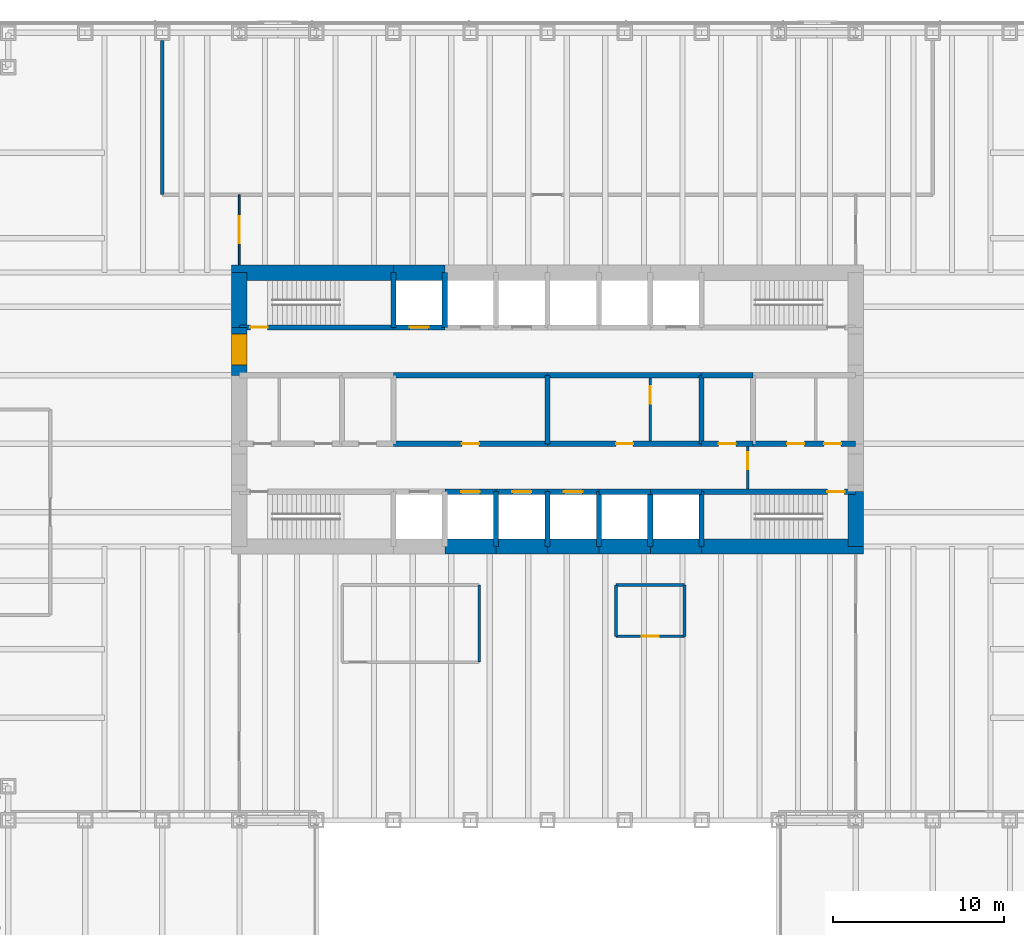
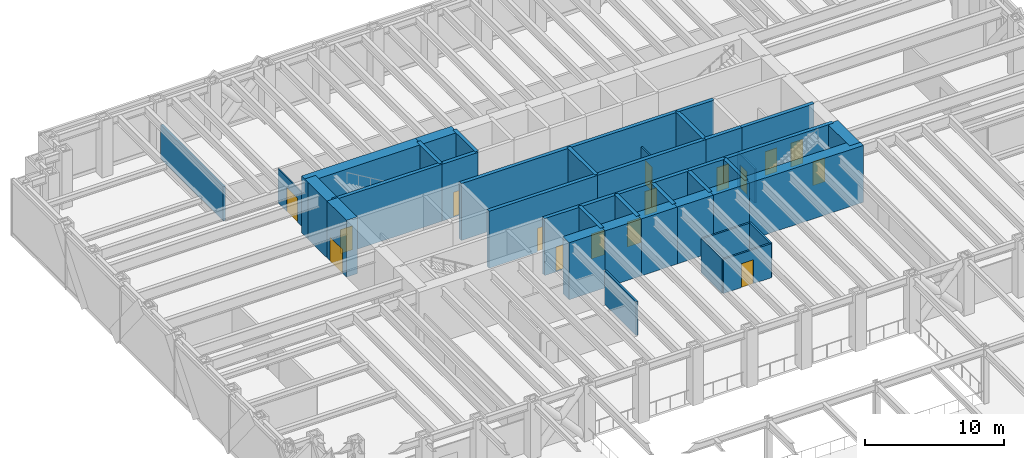
# One storey, part 14 of 17: 44 walls, 16 doors, 16 openings.
"""IFC4 building model written with IfcOpenShell, lengths in metres."""

import ifcopenshell
import ifcopenshell.guid

model = None  # the IFC model being written
_history = None  # IfcOwnerHistory: only IFC2X3 demands one
_inside = {}  # id of a spatial element -> (the spatial element, [elements in it])
_under = {}  # id of a project, library or spatial element -> (it, [spatial elements below it])
_declared = {}  # id of a project -> (the project, [libraries it declares])
_typed = {}  # id of a type object -> (the type object, [elements of that type])
_made_of = {}  # id of a material, layer set ... -> (it, [elements and type objects made of it])


def new_model(schema):
    """Start an empty IFC model of exactly this schema.

    Asked for "IFC4X3", IfcOpenShell would pick the latest addendum, in which some entities
    have other attributes; the version numbers below select the first issue.
    IFC2X3 requires an IfcOwnerHistory on every rooted entity: one is made here for all.
    """
    global model, _history
    if schema == "IFC4X3":
        model = ifcopenshell.file(schema_version=(4, 3, 0, 0))
    else:
        model = ifcopenshell.file(schema=schema)
    _inside.clear()
    _under.clear()
    _declared.clear()
    _typed.clear()
    _made_of.clear()
    _history = None
    if model.schema == "IFC2X3":
        org = make("IfcOrganization", Name="unknown")
        user = make(
            "IfcPersonAndOrganization",
            ThePerson=make("IfcPerson", FamilyName="unknown"),
            TheOrganization=org,
        )
        app = make(
            "IfcApplication",
            ApplicationDeveloper=org,
            Version="unknown",
            ApplicationFullName="unknown",
            ApplicationIdentifier="unknown",
        )
        _history = make(
            "IfcOwnerHistory",
            OwningUser=user,
            OwningApplication=app,
            ChangeAction="ADDED",
            CreationDate=0,
        )
    return model


def make(cls, **values):
    """One entity of the class cls with the attributes given. An attribute that is None is left unset."""
    return model.create_entity(
        cls, **{name: value for name, value in values.items() if value is not None}
    )


def rooted(cls, **values):
    """An entity with a GlobalId (a new one), such as an element, a storey or a relation."""
    return make(cls, GlobalId=ifcopenshell.guid.new(), OwnerHistory=_history, **values)


def si_unit(unit_type, name, prefix=None):
    """IfcSIUnit, for example si_unit("LENGTHUNIT", "METRE", prefix="MILLI")."""
    return make("IfcSIUnit", UnitType=unit_type, Prefix=prefix, Name=name)


def assignment(units):
    """IfcUnitAssignment: the units of a project."""
    return None if units is None else make("IfcUnitAssignment", Units=units)


def point(xyz):
    """IfcCartesianPoint."""
    return None if xyz is None else make("IfcCartesianPoint", Coordinates=xyz)


def direction(xyz):
    """IfcDirection."""
    return None if xyz is None else make("IfcDirection", DirectionRatios=xyz)


def frame(location, z_axis=None, x_axis=None):
    """IfcAxis2Placement3D, a coordinate frame: its origin and axes. An axis left out is left unset."""
    return make(
        "IfcAxis2Placement3D",
        Location=point(location),
        Axis=direction(z_axis),
        RefDirection=direction(x_axis),
    )


def frame_2d(location, x_axis=None):
    """IfcAxis2Placement2D, a coordinate frame in the plane: its origin and x axis."""
    return make(
        "IfcAxis2Placement2D", Location=point(location), RefDirection=direction(x_axis)
    )


def origin():
    """The frame at (0, 0, 0) with its axes left unset."""
    return frame((0.0, 0.0, 0.0))


def place(relative_to, where):
    """IfcLocalPlacement: puts the frame where relative to a parent placement (None: the world)."""
    return make(
        "IfcLocalPlacement", PlacementRelTo=relative_to, RelativePlacement=where
    )


def context(
    kind, dimensions, precision=None, world=None, true_north=None, identifier=None
):
    """IfcGeometricRepresentationContext, for example the 3D "Model" context."""
    return make(
        "IfcGeometricRepresentationContext",
        ContextIdentifier=identifier,
        ContextType=kind,
        CoordinateSpaceDimension=dimensions,
        Precision=precision,
        WorldCoordinateSystem=world,
        TrueNorth=true_north,
    )


def subcontext(parent, identifier, kind, view, scale=None):
    """IfcGeometricRepresentationSubContext, for example "Body" below "Model"."""
    return make(
        "IfcGeometricRepresentationSubContext",
        ContextIdentifier=identifier,
        ContextType=kind,
        ParentContext=parent,
        TargetScale=scale,
        TargetView=view,
    )


def project(units=None, contexts=None):
    """IfcProject with its units and contexts."""
    return rooted(
        "IfcProject",
        Name="project",
        RepresentationContexts=contexts,
        UnitsInContext=assignment(units),
    )


def spatial(cls, under=None, at=None, **own):
    """A site, building, storey or space (cls), placed at a placement, below another one or the project."""
    s = rooted(cls, ObjectPlacement=at, **own)
    if under is not None:
        _under.setdefault(under.id(), (under, []))[1].append(s)
    return s


def profile(cls, at=None, kind="AREA", **sizes):
    """A parametric profile (cls). Its sizes go by their IFC names, for example OverallWidth=200.0."""
    return make(cls, ProfileType=kind, Position=at, **sizes)


def rectangle(**sizes):
    """IfcRectangleProfileDef."""
    return profile("IfcRectangleProfileDef", **sizes)


def extrude(swept, where, along, depth):
    """IfcExtrudedAreaSolid: the profile swept, set in the frame where, extruded along a direction by depth."""
    return make(
        "IfcExtrudedAreaSolid",
        SweptArea=swept,
        Position=where,
        ExtrudedDirection=direction(along),
        Depth=depth,
    )


def shape(context_of_items, identifier, shape_type, items):
    """IfcShapeRepresentation: the items that make up one representation, for example the "Body"."""
    return make(
        "IfcShapeRepresentation",
        ContextOfItems=context_of_items,
        RepresentationIdentifier=identifier,
        RepresentationType=shape_type,
        Items=items,
    )


def material(Name=None, Category=None):
    """IfcMaterial."""
    return make("IfcMaterial", Name=Name, Category=Category)


def layer(
    of_material, thickness, ventilated=None, Name=None, Category=None, Priority=None
):
    """IfcMaterialLayer: one layer of a wall or slab, of a material (None: an air gap)."""
    return make(
        "IfcMaterialLayer",
        Material=of_material,
        LayerThickness=thickness,
        IsVentilated=ventilated,
        Name=Name,
        Category=Category,
        Priority=Priority,
    )


def layer_set(layers, Name=None):
    """IfcMaterialLayerSet."""
    return make("IfcMaterialLayerSet", MaterialLayers=layers, LayerSetName=Name)


def made_of(thing, what):
    """Note that an element or type object is made of a material, layer set ...; save() writes the relation."""
    if what is not None:
        _made_of.setdefault(what.id(), (what, []))[1].append(thing)
    return thing


def type_object(cls, material=None, **own):
    """A type object (cls), such as IfcWallType, which elements share."""
    return made_of(rooted(cls, **own), material)


def element(
    cls,
    number,
    at=None,
    inside=None,
    cuts=None,
    type_object=None,
    material=None,
    context=None,
    identifier="Body",
    shape_type=None,
    held_by="IfcProductDefinitionShape",
    body=None,
    shapes=None,
    **own,
):
    """One element of the class cls, such as IfcWall. Its Tag is "e" and its number.

    at: its placement. inside: the storey or other place that contains it. cuts: it is an
    opening in that element (IfcRelVoidsElement). A single representation is given by context,
    identifier, shape_type and body (its items); several are given by shapes. held_by: the class
    of the entity that holds the representations. save() writes the other relations.
    """
    e = rooted(cls, Tag="e%d" % number, ObjectPlacement=at, **own)
    if body is not None:
        shapes = [shape(context, identifier, shape_type, body)]
    if shapes is not None:
        e.Representation = make(held_by, Representations=shapes)
    if inside is not None:
        _inside.setdefault(inside.id(), (inside, []))[1].append(e)
    if cuts is not None:
        rooted(
            "IfcRelVoidsElement", RelatingBuildingElement=cuts, RelatedOpeningElement=e
        )
    if type_object is not None:
        _typed.setdefault(type_object.id(), (type_object, []))[1].append(e)
    return made_of(e, material)


def fill(opening, filler):
    """IfcRelFillsElement: the door or window that sits in an opening."""
    return rooted(
        "IfcRelFillsElement",
        RelatingOpeningElement=opening,
        RelatedBuildingElement=filler,
    )


def aggregate(whole, parts):
    """IfcRelAggregates: a whole, such as a stair, and the parts it consists of."""
    return rooted("IfcRelAggregates", RelatingObject=whole, RelatedObjects=parts)


def save(model, path):
    """Write the relations noted so far, then the file.

    IfcRelAggregates (storeys below a building ...), IfcRelContainedInSpatialStructure (elements
    in a storey), IfcRelDefinesByType, IfcRelAssociatesMaterial and IfcRelDeclares: one each for
    every whole, place, type object, material and project.
    """
    for whole, parts in _under.values():
        aggregate(whole, parts)
    for where, things in _inside.values():
        rooted(
            "IfcRelContainedInSpatialStructure",
            RelatedElements=things,
            RelatingStructure=where,
        )
    for kind, things in _typed.values():
        rooted("IfcRelDefinesByType", RelatedObjects=things, RelatingType=kind)
    for what, things in _made_of.values():
        rooted("IfcRelAssociatesMaterial", RelatedObjects=things, RelatingMaterial=what)
    for by, libraries in _declared.values():
        rooted("IfcRelDeclares", RelatingContext=by, RelatedDefinitions=libraries)
    model.write(path)


model = new_model("IFC4")

# Units and contexts
model_context = context("Model", 3, precision=1e-05, world=origin(), true_north=direction((0.0, 1.0)))
body_context = subcontext(model_context, "Body", "Model", "MODEL_VIEW")
ifc_project = project(units=[si_unit("LENGTHUNIT", "METRE"), si_unit("AREAUNIT", "SQUARE_METRE"), si_unit("VOLUMEUNIT", "CUBIC_METRE"), si_unit("PLANEANGLEUNIT", "RADIAN"), si_unit("MASSUNIT", "GRAM", prefix="KILO")], contexts=[model_context])

# Site, building, storey
site_placement = place(None, origin())
site = spatial("IfcSite", under=ifc_project, at=site_placement, CompositionType="ELEMENT")
building_placement = place(site_placement, origin())
building = spatial("IfcBuilding", under=site, at=building_placement, Name="Rheinbord Bourse Tower", CompositionType="ELEMENT")
storey_placement = place(building_placement, frame((0.0, 0.0, 13.0)))
storey = spatial("IfcBuildingStorey", under=building, at=storey_placement, Name="L02", CompositionType="ELEMENT", Elevation=13.0)

# Wall
ifc_material_1 = material(Name="Acoustic gypsum board partition", Category="gypsum board")
ifc_layer_1 = layer(ifc_material_1, 0.199951171875)
ifc_layer_set_1 = layer_set([ifc_layer_1], Name="ACOUSTIC PARTITION 200")
wall_type_1 = type_object("IfcWallType", Name="ACOUSTIC PARTITION 200", PredefinedType="PARTITIONING", material=ifc_layer_set_1)
wall_1_placement = place(storey_placement, frame((13.5, 36.550048828125, 0.0), z_axis=(0.0, 0.0, 1.0), x_axis=(0.0, 1.0, 0.0)))
element("IfcWall", 1, at=wall_1_placement, inside=storey, type_object=wall_type_1, Name="Partition L02-11", PredefinedType="PARTITIONING", context=body_context, shape_type="SweptSolid", body=[
    extrude(rectangle(XDim=9.0, YDim=0.199951171875, at=frame_2d((4.5, 0.0))), origin(), (0.0, 0.0, 1.0), 3.0),
])

# Wall, opening, door
ifc_material_2 = material(Name="Concrete C50/60", Category="concrete")
ifc_layer_2 = layer(ifc_material_2, 0.300048828125)
ifc_layer_set_2 = layer_set([ifc_layer_2], Name="CORE INNER WALL 300")
wall_type_2 = type_object("IfcWallType", Name="CORE INNER WALL 300", PredefinedType="SOLIDWALL", material=ifc_layer_set_2)
wall_2_placement = place(storey_placement, frame((30.0, 19.199951171875, 0.0), z_axis=(0.0, 0.0, 1.0), x_axis=(1.0, 0.0, 0.0)))
wall_2 = element("IfcWall", 2, at=wall_2_placement, inside=storey, type_object=wall_type_2, Name="Core wall A3 L02", PredefinedType="SOLIDWALL", context=body_context, shape_type="SweptSolid", body=[
    extrude(rectangle(XDim=3.0, YDim=0.300048828125, at=frame_2d((1.5, 0.0))), origin(), (0.0, 0.0, 1.0), 5.0),
])
opening_1_placement = place(wall_2_placement, frame((0.949951171875, 0.0, 0.0)))
opening_1 = element("IfcOpeningElement", 3, at=opening_1_placement, cuts=wall_2, Name="Opening PA1", PredefinedType="OPENING", context=body_context, shape_type="SweptSolid", body=[
    extrude(rectangle(XDim=1.10009765625, YDim=2.199951171875, at=frame_2d((0.550048828125, 1.10009765625))), frame((0.0, 0.159912109375, 0.0), z_axis=(0.0, -1.0, 0.0), x_axis=(1.0, 0.0, 0.0)), (0.0, 0.0, 1.0), 0.320068359375),
])
ifc_material_3 = material(Name="Steel landing door", Category="steel")
door_type_1 = type_object("IfcDoorType", Name="LIFT LANDING DOOR 1100", OperationType="DOUBLE_DOOR_SLIDING", PredefinedType="USERDEFINED", material=ifc_material_3)
door_1_placement = place(opening_1_placement, origin())
door_1 = element("IfcDoor", 4, at=door_1_placement, inside=storey, type_object=door_type_1, Name="Lift landing door PA1 L02", ObjectType="LIFT LANDING DOOR", OperationType="DOUBLE_DOOR_SLIDING", OverallHeight=2.199951171875, OverallWidth=1.10009765625, PredefinedType="USERDEFINED", context=body_context, shape_type="SweptSolid", body=[
    extrude(rectangle(XDim=1.10009765625, YDim=2.199951171875, at=frame_2d((0.550048828125, 1.10009765625))), frame((0.0, 0.02490234375, 0.0), z_axis=(0.0, -1.0, 0.0), x_axis=(1.0, 0.0, 0.0)), (0.0, 0.0, 1.0), 0.050048828125),
])
fill(opening_1, door_1)

wall_3_placement = place(storey_placement, frame((33.0, 19.199951171875, 0.0), z_axis=(0.0, 0.0, 1.0), x_axis=(1.0, 0.0, 0.0)))
wall_3 = element("IfcWall", 5, at=wall_3_placement, inside=storey, type_object=wall_type_2, Name="Core wall A4 L02", PredefinedType="SOLIDWALL", context=body_context, shape_type="SweptSolid", body=[
    extrude(rectangle(XDim=3.0, YDim=0.300048828125, at=frame_2d((1.5, 0.0))), origin(), (0.0, 0.0, 1.0), 5.0),
])
opening_2_placement = place(wall_3_placement, frame((0.949951171875, 0.0, 0.0)))
opening_2 = element("IfcOpeningElement", 6, at=opening_2_placement, cuts=wall_3, Name="Opening PA2", PredefinedType="OPENING", context=body_context, shape_type="SweptSolid", body=[
    extrude(rectangle(XDim=1.10009765625, YDim=2.199951171875, at=frame_2d((0.550048828125, 1.10009765625))), frame((0.0, 0.159912109375, 0.0), z_axis=(0.0, -1.0, 0.0), x_axis=(1.0, 0.0, 0.0)), (0.0, 0.0, 1.0), 0.320068359375),
])
door_2_placement = place(opening_2_placement, origin())
door_2 = element("IfcDoor", 7, at=door_2_placement, inside=storey, type_object=door_type_1, Name="Lift landing door PA2 L02", ObjectType="LIFT LANDING DOOR", OperationType="DOUBLE_DOOR_SLIDING", OverallHeight=2.199951171875, OverallWidth=1.10009765625, PredefinedType="USERDEFINED", context=body_context, shape_type="SweptSolid", body=[
    extrude(rectangle(XDim=1.10009765625, YDim=2.199951171875, at=frame_2d((0.550048828125, 1.10009765625))), frame((0.0, 0.02490234375, 0.0), z_axis=(0.0, -1.0, 0.0), x_axis=(1.0, 0.0, 0.0)), (0.0, 0.0, 1.0), 0.050048828125),
])
fill(opening_2, door_2)

wall_4_placement = place(storey_placement, frame((36.0, 19.199951171875, 0.0), z_axis=(0.0, 0.0, 1.0), x_axis=(1.0, 0.0, 0.0)))
wall_4 = element("IfcWall", 8, at=wall_4_placement, inside=storey, type_object=wall_type_2, Name="Core wall A5 L02", PredefinedType="SOLIDWALL", context=body_context, shape_type="SweptSolid", body=[
    extrude(rectangle(XDim=3.0, YDim=0.300048828125, at=frame_2d((1.5, 0.0))), origin(), (0.0, 0.0, 1.0), 5.0),
])
opening_3_placement = place(wall_4_placement, frame((0.949951171875, 0.0, 0.0)))
opening_3 = element("IfcOpeningElement", 9, at=opening_3_placement, cuts=wall_4, Name="Opening PA3", PredefinedType="OPENING", context=body_context, shape_type="SweptSolid", body=[
    extrude(rectangle(XDim=1.10009765625, YDim=2.199951171875, at=frame_2d((0.550048828125, 1.10009765625))), frame((0.0, 0.159912109375, 0.0), z_axis=(0.0, -1.0, 0.0), x_axis=(1.0, 0.0, 0.0)), (0.0, 0.0, 1.0), 0.320068359375),
])
door_3_placement = place(opening_3_placement, origin())
door_3 = element("IfcDoor", 10, at=door_3_placement, inside=storey, type_object=door_type_1, Name="Lift landing door PA3 L02", ObjectType="LIFT LANDING DOOR", OperationType="DOUBLE_DOOR_SLIDING", OverallHeight=2.199951171875, OverallWidth=1.10009765625, PredefinedType="USERDEFINED", context=body_context, shape_type="SweptSolid", body=[
    extrude(rectangle(XDim=1.10009765625, YDim=2.199951171875, at=frame_2d((0.550048828125, 1.10009765625))), frame((0.0, 0.02490234375, 0.0), z_axis=(0.0, -1.0, 0.0), x_axis=(1.0, 0.0, 0.0)), (0.0, 0.0, 1.0), 0.050048828125),
])
fill(opening_3, door_3)

# Walls
for number, where, z_axis, x_axis, name in (
    (11, (39.0, 19.199951171875, 0.0), (0.0, 0.0, 1.0), (1.0, 0.0, 0.0), "Core wall A6 L02"),
    (12, (42.0, 19.199951171875, 0.0), (0.0, 0.0, 1.0), (1.0, 0.0, 0.0), "Core wall A7 L02"),
):
    element("IfcWall", number, at=place(storey_placement, frame(where, z_axis=z_axis, x_axis=x_axis)), inside=storey, type_object=wall_type_2, Name=name, PredefinedType="SOLIDWALL", context=body_context, shape_type="SweptSolid", body=[
        extrude(rectangle(XDim=3.0, YDim=0.300048828125, at=frame_2d((1.5, 0.0))), origin(), (0.0, 0.0, 1.0), 5.0),
    ])

# Wall, opening, door
wall_5_placement = place(storey_placement, frame((45.0, 19.199951171875, 0.0), z_axis=(0.0, 0.0, 1.0), x_axis=(1.0, 0.0, 0.0)))
wall_5 = element("IfcWall", 13, at=wall_5_placement, inside=storey, type_object=wall_type_2, Name="Core wall A8 L02", PredefinedType="SOLIDWALL", context=body_context, shape_type="SweptSolid", body=[
    extrude(rectangle(XDim=9.0, YDim=0.300048828125, at=frame_2d((4.5, 0.0))), origin(), (0.0, 0.0, 1.0), 5.0),
])
opening_4_placement = place(wall_5_placement, frame((7.35009765625, 0.0, 0.0)))
opening_4 = element("IfcOpeningElement", 14, at=opening_4_placement, cuts=wall_5, Name="Opening 0230", PredefinedType="OPENING", context=body_context, shape_type="SweptSolid", body=[
    extrude(rectangle(XDim=1.0, YDim=2.10009765625, at=frame_2d((0.5, 1.050048828125))), frame((0.0, 0.159912109375, 0.0), z_axis=(0.0, -1.0, 0.0), x_axis=(1.0, 0.0, 0.0)), (0.0, 0.0, 1.0), 0.320068359375),
])
ifc_material_4 = material(Name="Steel door", Category="steel")
door_type_2 = type_object("IfcDoorType", Name="DOOR 1000 EI30", OperationType="SINGLE_SWING_LEFT", PredefinedType="DOOR", material=ifc_material_4)
door_4_placement = place(opening_4_placement, origin())
door_4 = element("IfcDoor", 15, at=door_4_placement, inside=storey, type_object=door_type_2, Name="Stair door ST3 L02", OperationType="SINGLE_SWING_RIGHT", OverallHeight=2.10009765625, OverallWidth=1.0, PredefinedType="DOOR", context=body_context, shape_type="SweptSolid", body=[
    extrude(rectangle(XDim=1.0, YDim=2.10009765625, at=frame_2d((0.5, 1.050048828125))), frame((0.0, 0.02490234375, 0.0), z_axis=(0.0, -1.0, 0.0), x_axis=(1.0, 0.0, 0.0)), (0.0, 0.0, 1.0), 0.050048828125),
])
fill(opening_4, door_4)

wall_6_placement = place(storey_placement, frame((18.0, 28.800048828125, 0.0), z_axis=(0.0, 0.0, 1.0), x_axis=(1.0, 0.0, 0.0)))
wall_6 = element("IfcWall", 16, at=wall_6_placement, inside=storey, type_object=wall_type_2, Name="Core wall B1 L02", PredefinedType="SOLIDWALL", context=body_context, shape_type="SweptSolid", body=[
    extrude(rectangle(XDim=9.0, YDim=0.300048828125, at=frame_2d((4.5, 0.0))), origin(), (0.0, 0.0, 1.0), 5.0),
])
opening_5_placement = place(wall_6_placement, frame((0.64990234375, 0.0, 0.0)))
opening_5 = element("IfcOpeningElement", 17, at=opening_5_placement, cuts=wall_6, Name="Opening 0220", PredefinedType="OPENING", context=body_context, shape_type="SweptSolid", body=[
    extrude(rectangle(XDim=1.0, YDim=2.10009765625, at=frame_2d((0.5, 1.050048828125))), frame((0.0, 0.159912109375, 0.0), z_axis=(0.0, -1.0, 0.0), x_axis=(1.0, 0.0, 0.0)), (0.0, 0.0, 1.0), 0.320068359375),
])
door_5_placement = place(opening_5_placement, origin())
door_5 = element("IfcDoor", 18, at=door_5_placement, inside=storey, type_object=door_type_2, Name="Stair door ST2 L02", OperationType="SINGLE_SWING_LEFT", OverallHeight=2.10009765625, OverallWidth=1.0, PredefinedType="DOOR", context=body_context, shape_type="SweptSolid", body=[
    extrude(rectangle(XDim=1.0, YDim=2.10009765625, at=frame_2d((0.5, 1.050048828125))), frame((0.0, 0.02490234375, 0.0), z_axis=(0.0, -1.0, 0.0), x_axis=(1.0, 0.0, 0.0)), (0.0, 0.0, 1.0), 0.050048828125),
])
fill(opening_5, door_5)

wall_7_placement = place(storey_placement, frame((27.0, 28.800048828125, 0.0), z_axis=(0.0, 0.0, 1.0), x_axis=(1.0, 0.0, 0.0)))
wall_7 = element("IfcWall", 19, at=wall_7_placement, inside=storey, type_object=wall_type_2, Name="Core wall B2 L02", PredefinedType="SOLIDWALL", context=body_context, shape_type="SweptSolid", body=[
    extrude(rectangle(XDim=3.0, YDim=0.300048828125, at=frame_2d((1.5, 0.0))), origin(), (0.0, 0.0, 1.0), 5.0),
])
opening_6_placement = place(wall_7_placement, frame((0.949951171875, 0.0, 0.0)))
opening_6 = element("IfcOpeningElement", 20, at=opening_6_placement, cuts=wall_7, Name="Opening GL1", PredefinedType="OPENING", context=body_context, shape_type="SweptSolid", body=[
    extrude(rectangle(XDim=1.10009765625, YDim=2.199951171875, at=frame_2d((0.550048828125, 1.10009765625))), frame((0.0, 0.159912109375, 0.0), z_axis=(0.0, -1.0, 0.0), x_axis=(1.0, 0.0, 0.0)), (0.0, 0.0, 1.0), 0.320068359375),
])
door_6_placement = place(opening_6_placement, origin())
door_6 = element("IfcDoor", 21, at=door_6_placement, inside=storey, type_object=door_type_1, Name="Lift landing door GL1 L02", ObjectType="LIFT LANDING DOOR", OperationType="DOUBLE_DOOR_SLIDING", OverallHeight=2.199951171875, OverallWidth=1.10009765625, PredefinedType="USERDEFINED", context=body_context, shape_type="SweptSolid", body=[
    extrude(rectangle(XDim=1.10009765625, YDim=2.199951171875, at=frame_2d((0.550048828125, 1.10009765625))), frame((0.0, 0.02490234375, 0.0), z_axis=(0.0, -1.0, 0.0), x_axis=(1.0, 0.0, 0.0)), (0.0, 0.0, 1.0), 0.050048828125),
])
fill(opening_6, door_6)

wall_8_placement = place(storey_placement, frame((27.0, 22.0, 0.0), z_axis=(0.0, 0.0, 1.0), x_axis=(1.0, 0.0, 0.0)))
wall_8 = element("IfcWall", 22, at=wall_8_placement, inside=storey, type_object=wall_type_2, Name="Core wall C3 L02", PredefinedType="SOLIDWALL", context=body_context, shape_type="SweptSolid", body=[
    extrude(rectangle(XDim=9.0, YDim=0.300048828125, at=frame_2d((4.5, 0.0))), origin(), (0.0, 0.0, 1.0), 5.0),
])
opening_7_placement = place(wall_8_placement, frame((4.0, 0.0, 0.0)))
opening_7 = element("IfcOpeningElement", 23, at=opening_7_placement, cuts=wall_8, Name="Opening 02R3", PredefinedType="OPENING", context=body_context, shape_type="SweptSolid", body=[
    extrude(rectangle(XDim=1.0, YDim=2.10009765625, at=frame_2d((0.5, 1.050048828125))), frame((0.0, 0.159912109375, 0.0), z_axis=(0.0, -1.0, 0.0), x_axis=(1.0, 0.0, 0.0)), (0.0, 0.0, 1.0), 0.320068359375),
])
door_7_placement = place(opening_7_placement, origin())
door_7 = element("IfcDoor", 24, at=door_7_placement, inside=storey, type_object=door_type_2, Name="Riser door L02", OperationType="SINGLE_SWING_LEFT", OverallHeight=2.10009765625, OverallWidth=1.0, PredefinedType="DOOR", context=body_context, shape_type="SweptSolid", body=[
    extrude(rectangle(XDim=1.0, YDim=2.10009765625, at=frame_2d((0.5, 1.050048828125))), frame((0.0, 0.02490234375, 0.0), z_axis=(0.0, -1.0, 0.0), x_axis=(1.0, 0.0, 0.0)), (0.0, 0.0, 1.0), 0.050048828125),
])
fill(opening_7, door_7)

wall_9_placement = place(storey_placement, frame((36.0, 22.0, 0.0), z_axis=(0.0, 0.0, 1.0), x_axis=(1.0, 0.0, 0.0)))
wall_9 = element("IfcWall", 25, at=wall_9_placement, inside=storey, type_object=wall_type_2, Name="Core wall C4 L02", PredefinedType="SOLIDWALL", context=body_context, shape_type="SweptSolid", body=[
    extrude(rectangle(XDim=9.0, YDim=0.300048828125, at=frame_2d((4.5, 0.0))), origin(), (0.0, 0.0, 1.0), 5.0),
])
opening_8_placement = place(wall_9_placement, frame((4.0, 0.0, 0.0)))
opening_8 = element("IfcOpeningElement", 26, at=opening_8_placement, cuts=wall_9, Name="Opening 02R4", PredefinedType="OPENING", context=body_context, shape_type="SweptSolid", body=[
    extrude(rectangle(XDim=1.0, YDim=2.10009765625, at=frame_2d((0.5, 1.050048828125))), frame((0.0, 0.159912109375, 0.0), z_axis=(0.0, -1.0, 0.0), x_axis=(1.0, 0.0, 0.0)), (0.0, 0.0, 1.0), 0.320068359375),
])
door_8_placement = place(opening_8_placement, origin())
door_8 = element("IfcDoor", 27, at=door_8_placement, inside=storey, type_object=door_type_2, Name="IT room door L02", OperationType="SINGLE_SWING_LEFT", OverallHeight=2.10009765625, OverallWidth=1.0, PredefinedType="DOOR", context=body_context, shape_type="SweptSolid", body=[
    extrude(rectangle(XDim=1.0, YDim=2.10009765625, at=frame_2d((0.5, 1.050048828125))), frame((0.0, 0.02490234375, 0.0), z_axis=(0.0, -1.0, 0.0), x_axis=(1.0, 0.0, 0.0)), (0.0, 0.0, 1.0), 0.050048828125),
])
fill(opening_8, door_8)

wall_10_placement = place(storey_placement, frame((45.0, 22.0, 0.0), z_axis=(0.0, 0.0, 1.0), x_axis=(1.0, 0.0, 0.0)))
wall_10 = element("IfcWall", 28, at=wall_10_placement, inside=storey, type_object=wall_type_2, Name="Core wall C5 L02", PredefinedType="SOLIDWALL", context=body_context, shape_type="SweptSolid", body=[
    extrude(rectangle(XDim=3.0, YDim=0.300048828125, at=frame_2d((1.5, 0.0))), origin(), (0.0, 0.0, 1.0), 5.0),
])
opening_9_placement = place(wall_10_placement, frame((1.0, 0.0, 0.0)))
opening_9 = element("IfcOpeningElement", 29, at=opening_9_placement, cuts=wall_10, Name="Opening 02R5", PredefinedType="OPENING", context=body_context, shape_type="SweptSolid", body=[
    extrude(rectangle(XDim=1.0, YDim=2.10009765625, at=frame_2d((0.5, 1.050048828125))), frame((0.0, 0.159912109375, 0.0), z_axis=(0.0, -1.0, 0.0), x_axis=(1.0, 0.0, 0.0)), (0.0, 0.0, 1.0), 0.320068359375),
])
ifc_material_5 = material(Name="Timber door", Category="wood")
door_type_3 = type_object("IfcDoorType", Name="DOOR 1000 WC", OperationType="SINGLE_SWING_LEFT", PredefinedType="DOOR", material=ifc_material_5)
door_9_placement = place(opening_9_placement, origin())
door_9 = element("IfcDoor", 30, at=door_9_placement, inside=storey, type_object=door_type_3, Name="Accessible WC door L02", OperationType="SINGLE_SWING_LEFT", OverallHeight=2.10009765625, OverallWidth=1.0, PredefinedType="DOOR", context=body_context, shape_type="SweptSolid", body=[
    extrude(rectangle(XDim=1.0, YDim=2.10009765625, at=frame_2d((0.5, 1.050048828125))), frame((0.0, 0.02490234375, 0.0), z_axis=(0.0, -1.0, 0.0), x_axis=(1.0, 0.0, 0.0)), (0.0, 0.0, 1.0), 0.050048828125),
])
fill(opening_9, door_9)

# Wall, openings, doors
wall_11_placement = place(storey_placement, frame((48.0, 22.0, 0.0), z_axis=(0.0, 0.0, 1.0), x_axis=(1.0, 0.0, 0.0)))
wall_11 = element("IfcWall", 31, at=wall_11_placement, inside=storey, type_object=wall_type_2, Name="Core wall C6 L02", PredefinedType="SOLIDWALL", context=body_context, shape_type="SweptSolid", body=[
    extrude(rectangle(XDim=6.0, YDim=0.300048828125, at=frame_2d((3.0, 0.0))), origin(), (0.0, 0.0, 1.0), 5.0),
])
opening_10_placement = place(wall_11_placement, frame((2.0, 0.0, 0.0)))
opening_10 = element("IfcOpeningElement", 32, at=opening_10_placement, cuts=wall_11, Name="Opening 02R6", PredefinedType="OPENING", context=body_context, shape_type="SweptSolid", body=[
    extrude(rectangle(XDim=1.0, YDim=2.10009765625, at=frame_2d((0.5, 1.050048828125))), frame((0.0, 0.159912109375, 0.0), z_axis=(0.0, -1.0, 0.0), x_axis=(1.0, 0.0, 0.0)), (0.0, 0.0, 1.0), 0.320068359375),
])
opening_11_placement = place(wall_11_placement, frame((4.14990234375, 0.0, 0.0)))
opening_11 = element("IfcOpeningElement", 33, at=opening_11_placement, cuts=wall_11, Name="Opening 02R10", PredefinedType="OPENING", context=body_context, shape_type="SweptSolid", body=[
    extrude(rectangle(XDim=1.0, YDim=2.10009765625, at=frame_2d((0.5, 1.050048828125))), frame((0.0, 0.159912109375, 0.0), z_axis=(0.0, -1.0, 0.0), x_axis=(1.0, 0.0, 0.0)), (0.0, 0.0, 1.0), 0.320068359375),
])
door_10_placement = place(opening_11_placement, origin())
door_10 = element("IfcDoor", 34, at=door_10_placement, inside=storey, type_object=door_type_2, Name="Cleaner's store door L02", OperationType="SINGLE_SWING_RIGHT", OverallHeight=2.10009765625, OverallWidth=1.0, PredefinedType="DOOR", context=body_context, shape_type="SweptSolid", body=[
    extrude(rectangle(XDim=1.0, YDim=2.10009765625, at=frame_2d((0.5, 1.050048828125))), frame((0.0, 0.02490234375, 0.0), z_axis=(0.0, -1.0, 0.0), x_axis=(1.0, 0.0, 0.0)), (0.0, 0.0, 1.0), 0.050048828125),
])
fill(opening_11, door_10)
door_11_placement = place(opening_10_placement, origin())
door_11 = element("IfcDoor", 35, at=door_11_placement, inside=storey, type_object=door_type_3, Name="WC women door L02", OperationType="SINGLE_SWING_LEFT", OverallHeight=2.10009765625, OverallWidth=1.0, PredefinedType="DOOR", context=body_context, shape_type="SweptSolid", body=[
    extrude(rectangle(XDim=1.0, YDim=2.10009765625, at=frame_2d((0.5, 1.050048828125))), frame((0.0, 0.02490234375, 0.0), z_axis=(0.0, -1.0, 0.0), x_axis=(1.0, 0.0, 0.0)), (0.0, 0.0, 1.0), 0.050048828125),
])
fill(opening_10, door_11)

# Walls
for number, where, z_axis, x_axis, name in (
    (36, (27.0, 26.0, 0.0), (0.0, 0.0, 1.0), (1.0, 0.0, 0.0), "Core wall D3 L02"),
    (37, (36.0, 26.0, 0.0), (0.0, 0.0, 1.0), (1.0, 0.0, 0.0), "Core wall D4 L02"),
):
    element("IfcWall", number, at=place(storey_placement, frame(where, z_axis=z_axis, x_axis=x_axis)), inside=storey, type_object=wall_type_2, Name=name, PredefinedType="SOLIDWALL", context=body_context, shape_type="SweptSolid", body=[
        extrude(rectangle(XDim=9.0, YDim=0.300048828125, at=frame_2d((4.5, 0.0))), origin(), (0.0, 0.0, 1.0), 5.0),
    ])
wall_12_placement = place(storey_placement, frame((45.0, 26.0, 0.0), z_axis=(0.0, 0.0, 1.0), x_axis=(1.0, 0.0, 0.0)))
element("IfcWall", 38, at=wall_12_placement, inside=storey, type_object=wall_type_2, Name="Core wall D5 L02", PredefinedType="SOLIDWALL", context=body_context, shape_type="SweptSolid", body=[
    extrude(rectangle(XDim=3.0, YDim=0.300048828125, at=frame_2d((1.5, 0.0))), origin(), (0.0, 0.0, 1.0), 5.0),
])
for number, where, z_axis, x_axis, name in (
    (39, (27.0, 28.800048828125, 0.0), (0.0, 0.0, 1.0), (0.0, 1.0, 0.0), "Core wall NX27 L02"),
    (40, (30.0, 28.800048828125, 0.0), (0.0, 0.0, 1.0), (0.0, 1.0, 0.0), "Core wall NX30 L02"),
    (41, (33.0, 16.0, 0.0), (0.0, 0.0, 1.0), (0.0, 1.0, 0.0), "Core wall SX33 L02"),
    (42, (36.0, 16.0, 0.0), (0.0, 0.0, 1.0), (0.0, 1.0, 0.0), "Core wall SX36 L02"),
    (43, (39.0, 16.0, 0.0), (0.0, 0.0, 1.0), (0.0, 1.0, 0.0), "Core wall SX39 L02"),
    (44, (42.0, 16.0, 0.0), (0.0, 0.0, 1.0), (0.0, 1.0, 0.0), "Core wall SX42 L02"),
    (45, (45.0, 16.0, 0.0), (0.0, 0.0, 1.0), (0.0, 1.0, 0.0), "Core wall SX45 L02"),
):
    element("IfcWall", number, at=place(storey_placement, frame(where, z_axis=z_axis, x_axis=x_axis)), inside=storey, type_object=wall_type_2, Name=name, PredefinedType="SOLIDWALL", context=body_context, shape_type="SweptSolid", body=[
        extrude(rectangle(XDim=3.199951171875, YDim=0.300048828125, at=frame_2d((1.60009765625, 0.0))), origin(), (0.0, 0.0, 1.0), 5.0),
    ])
for number, where, z_axis, x_axis, name in (
    (46, (36.0, 22.0, 0.0), (0.0, 0.0, 1.0), (0.0, 1.0, 0.0), "Core wall MX36 L02"),
    (47, (45.0, 22.0, 0.0), (0.0, 0.0, 1.0), (0.0, 1.0, 0.0), "Core wall MX45 L02"),
):
    element("IfcWall", number, at=place(storey_placement, frame(where, z_axis=z_axis, x_axis=x_axis)), inside=storey, type_object=wall_type_2, Name=name, PredefinedType="SOLIDWALL", context=body_context, shape_type="SweptSolid", body=[
        extrude(rectangle(XDim=4.0, YDim=0.300048828125, at=frame_2d((2.0, 0.0))), origin(), (0.0, 0.0, 1.0), 5.0),
    ])

# Wall, opening, door
ifc_material_6 = material(Name="Gypsum board fire partition", Category="gypsum board")
ifc_layer_3 = layer(ifc_material_6, 0.14990234375)
ifc_layer_set_3 = layer_set([ifc_layer_3], Name="CORE PARTITION 150 EI30")
wall_type_3 = type_object("IfcWallType", Name="CORE PARTITION 150 EI30", PredefinedType="PARTITIONING", material=ifc_layer_set_3)
wall_13_placement = place(storey_placement, frame((42.0, 22.14990234375, 0.0), z_axis=(0.0, 0.0, 1.0), x_axis=(0.0, 1.0, 0.0)))
wall_13 = element("IfcWall", 48, at=wall_13_placement, inside=storey, type_object=wall_type_3, Name="Core partition L02-1", PredefinedType="PARTITIONING", context=body_context, shape_type="SweptSolid", body=[
    extrude(rectangle(XDim=3.7001953125, YDim=0.14990234375, at=frame_2d((1.85009765625, 0.0))), origin(), (0.0, 0.0, 1.0), 3.0),
])
opening_12_placement = place(wall_13_placement, frame((2.199951171875, 0.0, 0.0)))
opening_12 = element("IfcOpeningElement", 49, at=opening_12_placement, cuts=wall_13, Name="Opening 02R7", PredefinedType="OPENING", context=body_context, shape_type="SweptSolid", body=[
    extrude(rectangle(XDim=1.0, YDim=2.10009765625, at=frame_2d((0.5, 1.050048828125))), frame((0.0, 0.0849609375, 0.0), z_axis=(0.0, -1.0, 0.0), x_axis=(1.0, 0.0, 0.0)), (0.0, 0.0, 1.0), 0.169921875),
])
door_12_placement = place(opening_12_placement, origin())
door_12 = element("IfcDoor", 50, at=door_12_placement, inside=storey, type_object=door_type_2, Name="Store door L02", OperationType="SINGLE_SWING_RIGHT", OverallHeight=2.10009765625, OverallWidth=1.0, PredefinedType="DOOR", context=body_context, shape_type="SweptSolid", body=[
    extrude(rectangle(XDim=1.0, YDim=2.10009765625, at=frame_2d((0.5, 1.050048828125))), frame((0.0, 0.02490234375, 0.0), z_axis=(0.0, -1.0, 0.0), x_axis=(1.0, 0.0, 0.0)), (0.0, 0.0, 1.0), 0.050048828125),
])
fill(opening_12, door_12)

wall_14_placement = place(storey_placement, frame((47.699951171875, 19.35009765625, 0.0), z_axis=(0.0, 0.0, 1.0), x_axis=(0.0, 1.0, 0.0)))
wall_14 = element("IfcWall", 51, at=wall_14_placement, inside=storey, type_object=wall_type_3, Name="Core partition L02-4", PredefinedType="PARTITIONING", context=body_context, shape_type="SweptSolid", body=[
    extrude(rectangle(XDim=2.5, YDim=0.14990234375, at=frame_2d((1.25, 0.0))), origin(), (0.0, 0.0, 1.0), 3.0),
])
opening_13_placement = place(wall_14_placement, frame((1.14990234375, 0.0, 0.0)))
opening_13 = element("IfcOpeningElement", 52, at=opening_13_placement, cuts=wall_14, Name="Opening 02L5", PredefinedType="OPENING", context=body_context, shape_type="SweptSolid", body=[
    extrude(rectangle(XDim=1.0, YDim=2.10009765625, at=frame_2d((0.5, 1.050048828125))), frame((0.0, 0.0849609375, 0.0), z_axis=(0.0, -1.0, 0.0), x_axis=(1.0, 0.0, 0.0)), (0.0, 0.0, 1.0), 0.169921875),
])
door_13_placement = place(opening_13_placement, origin())
door_13 = element("IfcDoor", 53, at=door_13_placement, inside=storey, type_object=door_type_2, Name="Stair lobby door L02", OperationType="SINGLE_SWING_RIGHT", OverallHeight=2.10009765625, OverallWidth=1.0, PredefinedType="DOOR", context=body_context, shape_type="SweptSolid", body=[
    extrude(rectangle(XDim=1.0, YDim=2.10009765625, at=frame_2d((0.5, 1.050048828125))), frame((0.0, 0.02490234375, 0.0), z_axis=(0.0, -1.0, 0.0), x_axis=(1.0, 0.0, 0.0)), (0.0, 0.0, 1.0), 0.050048828125),
])
fill(opening_13, door_13)

# Walls
ifc_material_7 = material(Name="Concrete C50/60", Category="concrete")
ifc_layer_4 = layer(ifc_material_7, 0.89990234375)
ifc_layer_set_4 = layer_set([ifc_layer_4], Name="CORE WALL 900")
wall_type_4 = type_object("IfcWallType", Name="CORE WALL 900", PredefinedType="SHEAR", material=ifc_layer_set_4)
for number, where, z_axis, x_axis, name in (
    (54, (30.0, 16.0, 0.0), (0.0, 0.0, 1.0), (1.0, 0.0, 0.0), "Core wall S3 L02"),
    (55, (33.0, 16.0, 0.0), (0.0, 0.0, 1.0), (1.0, 0.0, 0.0), "Core wall S4 L02"),
    (56, (36.0, 16.0, 0.0), (0.0, 0.0, 1.0), (1.0, 0.0, 0.0), "Core wall S5 L02"),
    (57, (39.0, 16.0, 0.0), (0.0, 0.0, 1.0), (1.0, 0.0, 0.0), "Core wall S6 L02"),
    (58, (42.0, 16.0, 0.0), (0.0, 0.0, 1.0), (1.0, 0.0, 0.0), "Core wall S7 L02"),
):
    element("IfcWall", number, at=place(storey_placement, frame(where, z_axis=z_axis, x_axis=x_axis)), inside=storey, type_object=wall_type_4, Name=name, PredefinedType="SHEAR", context=body_context, shape_type="SweptSolid", body=[
        extrude(rectangle(XDim=3.0, YDim=0.89990234375, at=frame_2d((1.5, 0.0))), origin(), (0.0, 0.0, 1.0), 5.0),
    ])
wall_15_placement = place(storey_placement, frame((45.0, 16.0, 0.0), z_axis=(0.0, 0.0, 1.0), x_axis=(1.0, 0.0, 0.0)))
element("IfcWall", 59, at=wall_15_placement, inside=storey, type_object=wall_type_4, Name="Core wall S8 L02", PredefinedType="SHEAR", context=body_context, shape_type="SweptSolid", body=[
    extrude(rectangle(XDim=9.449951171875, YDim=0.89990234375, at=frame_2d((4.72509765625, 0.0))), origin(), (0.0, 0.0, 1.0), 5.0),
])
wall_16_placement = place(storey_placement, frame((30.0, 32.0, 0.0), z_axis=(0.0, 0.0, 1.0), x_axis=(-1.0, 0.0, 0.0)))
element("IfcWall", 60, at=wall_16_placement, inside=storey, type_object=wall_type_4, Name="Core wall N7 L02", PredefinedType="SHEAR", context=body_context, shape_type="SweptSolid", body=[
    extrude(rectangle(XDim=3.0, YDim=0.89990234375, at=frame_2d((1.5, 0.0))), origin(), (0.0, 0.0, 1.0), 5.0),
])
wall_17_placement = place(storey_placement, frame((27.0, 32.0, 0.0), z_axis=(0.0, 0.0, 1.0), x_axis=(-1.0, 0.0, 0.0)))
element("IfcWall", 61, at=wall_17_placement, inside=storey, type_object=wall_type_4, Name="Core wall N8 L02", PredefinedType="SHEAR", context=body_context, shape_type="SweptSolid", body=[
    extrude(rectangle(XDim=9.449951171875, YDim=0.89990234375, at=frame_2d((4.72509765625, 0.0))), origin(), (0.0, 0.0, 1.0), 5.0),
])
wall_18_placement = place(storey_placement, frame((18.0, 32.0, 0.0), z_axis=(0.0, 0.0, 1.0), x_axis=(0.0, -1.0, 0.0)))
element("IfcWall", 62, at=wall_18_placement, inside=storey, type_object=wall_type_4, Name="Core wall W1 L02", PredefinedType="SHEAR", context=body_context, shape_type="SweptSolid", body=[
    extrude(rectangle(XDim=3.199951171875, YDim=0.89990234375, at=frame_2d((1.60009765625, 0.0))), origin(), (0.0, 0.0, 1.0), 5.0),
])

# Wall, opening, door
wall_19_placement = place(storey_placement, frame((18.0, 28.800048828125, 0.0), z_axis=(0.0, 0.0, 1.0), x_axis=(0.0, -1.0, 0.0)))
wall_19 = element("IfcWall", 63, at=wall_19_placement, inside=storey, type_object=wall_type_4, Name="Core wall W2 L02", PredefinedType="SHEAR", context=body_context, shape_type="SweptSolid", body=[
    extrude(rectangle(XDim=2.800048828125, YDim=0.89990234375, at=frame_2d((1.39990234375, 0.0))), origin(), (0.0, 0.0, 1.0), 5.0),
])
opening_14_placement = place(wall_19_placement, frame((0.39990234375, 0.0, 0.0)))
opening_14 = element("IfcOpeningElement", 64, at=opening_14_placement, cuts=wall_19, Name="Opening 02L2", PredefinedType="OPENING", context=body_context, shape_type="SweptSolid", body=[
    extrude(rectangle(XDim=1.800048828125, YDim=2.10009765625, at=frame_2d((0.89990234375, 1.050048828125))), frame((0.0, 0.4599609375, 0.0), z_axis=(0.0, -1.0, 0.0), x_axis=(1.0, 0.0, 0.0)), (0.0, 0.0, 1.0), 0.919921875),
])
ifc_material_8 = material(Name="Steel door", Category="steel")
door_type_4 = type_object("IfcDoorType", Name="DOOR 1800 EI30 DOUBLE", OperationType="DOUBLE_DOOR_DOUBLE_SWING", PredefinedType="DOOR", material=ifc_material_8)
door_14_placement = place(opening_14_placement, origin())
door_14 = element("IfcDoor", 65, at=door_14_placement, inside=storey, type_object=door_type_4, Name="Lobby door 2 L02", OperationType="SINGLE_SWING_LEFT", OverallHeight=2.10009765625, OverallWidth=1.800048828125, PredefinedType="DOOR", context=body_context, shape_type="SweptSolid", body=[
    extrude(rectangle(XDim=1.800048828125, YDim=2.10009765625, at=frame_2d((0.89990234375, 1.050048828125))), frame((0.0, 0.44970703125, 0.0), z_axis=(0.0, -1.0, 0.0), x_axis=(1.0, 0.0, 0.0)), (0.0, 0.0, 1.0), 0.8994140625),
])
fill(opening_14, door_14)

# Wall
wall_20_placement = place(storey_placement, frame((54.0, 16.0, 0.0), z_axis=(0.0, 0.0, 1.0), x_axis=(0.0, 1.0, 0.0)))
element("IfcWall", 66, at=wall_20_placement, inside=storey, type_object=wall_type_4, Name="Core wall E1 L02", PredefinedType="SHEAR", context=body_context, shape_type="SweptSolid", body=[
    extrude(rectangle(XDim=3.199951171875, YDim=0.89990234375, at=frame_2d((1.60009765625, 0.0))), origin(), (0.0, 0.0, 1.0), 5.0),
])

# Wall, opening, door
ifc_material_9 = material(Name="Toughened laminated glass partition", Category="glass")
ifc_layer_5 = layer(ifc_material_9, 0.10009765625)
ifc_layer_set_5 = layer_set([ifc_layer_5], Name="GLAZED PARTITION 100")
wall_type_5 = type_object("IfcWallType", Name="GLAZED PARTITION 100", PredefinedType="PARTITIONING", material=ifc_layer_set_5)
wall_21_placement = place(storey_placement, frame((18.0, 32.449951171875, 0.0), z_axis=(0.0, 0.0, 1.0), x_axis=(0.0, 1.0, 0.0)))
wall_21 = element("IfcWall", 67, at=wall_21_placement, inside=storey, type_object=wall_type_5, Name="Partition L02-13", PredefinedType="PARTITIONING", context=body_context, shape_type="SweptSolid", body=[
    extrude(rectangle(XDim=4.10009765625, YDim=0.10009765625, at=frame_2d((2.050048828125, 0.0))), origin(), (0.0, 0.0, 1.0), 3.0),
])
opening_15_placement = place(wall_21_placement, frame((1.25, 0.0, 0.0)))
opening_15 = element("IfcOpeningElement", 68, at=opening_15_placement, cuts=wall_21, Name="Opening 02D08", PredefinedType="OPENING", context=body_context, shape_type="SweptSolid", body=[
    extrude(rectangle(XDim=1.60009765625, YDim=2.10009765625, at=frame_2d((0.800048828125, 1.050048828125))), frame((0.0, 0.06005859375, 0.0), z_axis=(0.0, -1.0, 0.0), x_axis=(1.0, 0.0, 0.0)), (0.0, 0.0, 1.0), 0.1201171875),
])
ifc_material_10 = material(Name="Timber door", Category="wood")
door_type_5 = type_object("IfcDoorType", Name="DOUBLE ROOM DOOR 1600", OperationType="DOUBLE_DOOR_DOUBLE_SWING", PredefinedType="DOOR", material=ifc_material_10)
door_15_placement = place(opening_15_placement, origin())
door_15 = element("IfcDoor", 69, at=door_15_placement, inside=storey, type_object=door_type_5, Name="Open area door L02", OperationType="SINGLE_SWING_LEFT", OverallHeight=2.10009765625, OverallWidth=1.60009765625, PredefinedType="DOOR", context=body_context, shape_type="SweptSolid", body=[
    extrude(rectangle(XDim=1.60009765625, YDim=2.10009765625, at=frame_2d((0.800048828125, 1.050048828125))), frame((0.0, 0.02490234375, 0.0), z_axis=(0.0, -1.0, 0.0), x_axis=(1.0, 0.0, 0.0)), (0.0, 0.0, 1.0), 0.050048828125),
])
fill(opening_15, door_15)

ifc_material_11 = material(Name="Gypsum board partition", Category="gypsum board")
ifc_layer_6 = layer(ifc_material_11, 0.14990234375)
ifc_layer_set_6 = layer_set([ifc_layer_6], Name="PARTITION 150")
wall_type_6 = type_object("IfcWallType", Name="PARTITION 150", PredefinedType="PARTITIONING", material=ifc_layer_set_6)
wall_22_placement = place(storey_placement, frame((40.0, 10.75, 0.0), z_axis=(0.0, 0.0, 1.0), x_axis=(1.0, 0.0, 0.0)))
wall_22 = element("IfcWall", 70, at=wall_22_placement, inside=storey, type_object=wall_type_6, Name="Partition L02-02", PredefinedType="PARTITIONING", context=body_context, shape_type="SweptSolid", body=[
    extrude(rectangle(XDim=4.0, YDim=0.14990234375, at=frame_2d((2.0, 0.0))), origin(), (0.0, 0.0, 1.0), 3.0),
])
opening_16_placement = place(wall_22_placement, frame((1.5, 0.0, 0.0)))
opening_16 = element("IfcOpeningElement", 71, at=opening_16_placement, cuts=wall_22, Name="Opening 02D02", PredefinedType="OPENING", context=body_context, shape_type="SweptSolid", body=[
    extrude(rectangle(XDim=1.0, YDim=2.10009765625, at=frame_2d((0.5, 1.050048828125))), frame((0.0, 0.0849609375, 0.0), z_axis=(0.0, -1.0, 0.0), x_axis=(1.0, 0.0, 0.0)), (0.0, 0.0, 1.0), 0.169921875),
])
ifc_material_12 = material(Name="Timber door", Category="wood")
door_type_6 = type_object("IfcDoorType", Name="ROOM DOOR 1000", OperationType="SINGLE_SWING_LEFT", PredefinedType="DOOR", material=ifc_material_12)
door_16_placement = place(opening_16_placement, origin())
door_16 = element("IfcDoor", 72, at=door_16_placement, inside=storey, type_object=door_type_6, Name="Store door L02", OperationType="SINGLE_SWING_LEFT", OverallHeight=2.10009765625, OverallWidth=1.0, PredefinedType="DOOR", context=body_context, shape_type="SweptSolid", body=[
    extrude(rectangle(XDim=1.0, YDim=2.10009765625, at=frame_2d((0.5, 1.050048828125))), frame((0.0, 0.02490234375, 0.0), z_axis=(0.0, -1.0, 0.0), x_axis=(1.0, 0.0, 0.0)), (0.0, 0.0, 1.0), 0.050048828125),
])
fill(opening_16, door_16)

# Walls
wall_23_placement = place(storey_placement, frame((40.0, 13.75, 0.0), z_axis=(0.0, 0.0, 1.0), x_axis=(1.0, 0.0, 0.0)))
element("IfcWall", 73, at=wall_23_placement, inside=storey, type_object=wall_type_6, Name="Partition L02-05", PredefinedType="PARTITIONING", context=body_context, shape_type="SweptSolid", body=[
    extrude(rectangle(XDim=4.0, YDim=0.14990234375, at=frame_2d((2.0, 0.0))), origin(), (0.0, 0.0, 1.0), 3.0),
])
wall_24_placement = place(storey_placement, frame((32.0, 9.25, 0.0), z_axis=(0.0, 0.0, 1.0), x_axis=(0.0, 1.0, 0.0)))
element("IfcWall", 74, at=wall_24_placement, inside=storey, type_object=wall_type_6, Name="Partition L02-15", PredefinedType="PARTITIONING", context=body_context, shape_type="SweptSolid", body=[
    extrude(rectangle(XDim=4.5, YDim=0.14990234375, at=frame_2d((2.25, 0.0))), origin(), (0.0, 0.0, 1.0), 3.0),
])
for number, where, z_axis, x_axis, name in (
    (75, (40.0, 10.75, 0.0), (0.0, 0.0, 1.0), (0.0, 1.0, 0.0), "Partition L02-16"),
    (76, (44.0, 10.75, 0.0), (0.0, 0.0, 1.0), (0.0, 1.0, 0.0), "Partition L02-17"),
):
    element("IfcWall", number, at=place(storey_placement, frame(where, z_axis=z_axis, x_axis=x_axis)), inside=storey, type_object=wall_type_6, Name=name, PredefinedType="PARTITIONING", context=body_context, shape_type="SweptSolid", body=[
        extrude(rectangle(XDim=3.0, YDim=0.14990234375, at=frame_2d((1.5, 0.0))), origin(), (0.0, 0.0, 1.0), 3.0),
    ])

save(model, "model.ifc")
